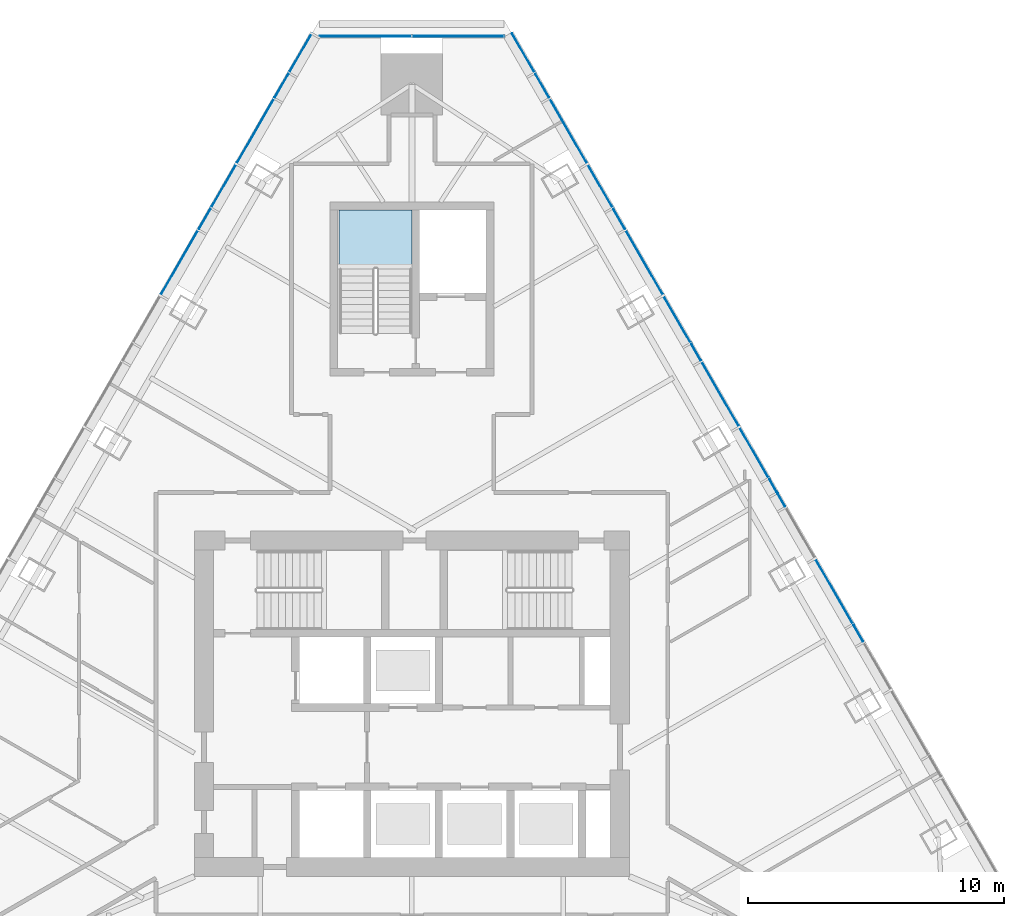
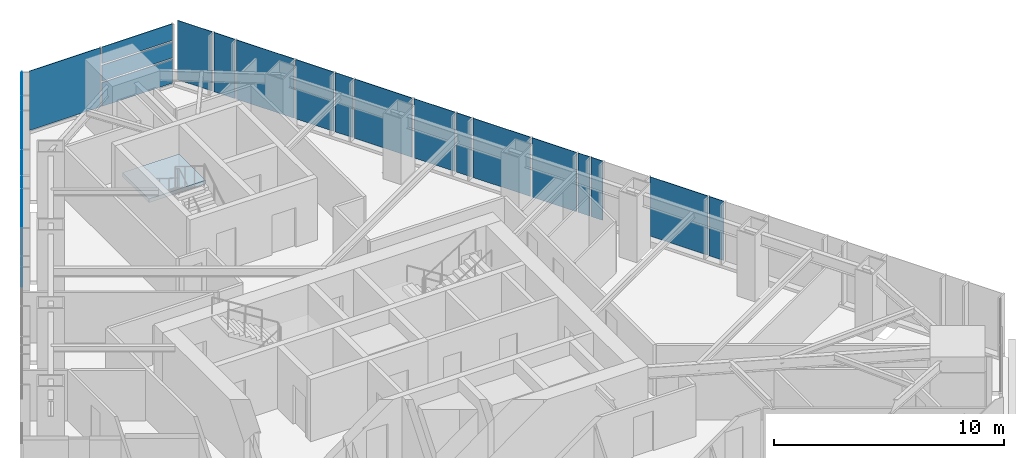
# One storey, part 9 of 15: 24 plates, 1 slab, 4 elements without a shape of their own.
"""IFC4 building model written with IfcOpenShell, lengths in metres."""

from ifc_helpers import new_model, si_unit, direction, frame, origin, place, context, subcontext, project, spatial, polyline, outline, extrude, material, layer, layer_set, type_object, element, aggregate, save


model = new_model("IFC4")

# Units and contexts
model_context = context("Model", 3, precision=1e-05, world=origin(), true_north=direction((0.0, 1.0)))
body_context = subcontext(model_context, "Body", "Model", "MODEL_VIEW")
ifc_project = project(units=[si_unit("LENGTHUNIT", "METRE"), si_unit("AREAUNIT", "SQUARE_METRE"), si_unit("VOLUMEUNIT", "CUBIC_METRE"), si_unit("PLANEANGLEUNIT", "RADIAN"), si_unit("MASSUNIT", "GRAM", prefix="KILO")], contexts=[model_context])

# Site, building, storey
site_placement = place(None, origin())
site = spatial("IfcSite", under=ifc_project, at=site_placement, CompositionType="ELEMENT")
building_placement = place(site_placement, origin())
building = spatial("IfcBuilding", under=site, at=building_placement, Name="Firuza Gate Tower and Library", CompositionType="ELEMENT")
storey_placement = place(building_placement, frame((0.0, 0.0, 309.10009765625)))
storey = spatial("IfcBuildingStorey", under=building, at=storey_placement, Name="L75", CompositionType="ELEMENT", Elevation=309.10009765625)

# Curtain wall, plates
ifc_material_1 = material(Name="Aluminium 6063-T6", Category="aluminium")
ifc_layer_1 = layer(ifc_material_1, 0.14990234375)
ifc_layer_set_1 = layer_set([ifc_layer_1], Name="Corner curtain wall, chamfers")
curtain_wall_type_1 = type_object("IfcCurtainWallType", Name="Corner curtain wall, chamfers", PredefinedType="NOTDEFINED", material=ifc_layer_set_1)
placement = place(storey_placement, origin())
curtain_wall_1 = element("IfcCurtainWall", 1, at=placement, inside=storey, type_object=curtain_wall_type_1, Name="CW4 L75 N corner", PredefinedType="NOTDEFINED")
ifc_material_2 = material(Name="Fritted glass", Category="glass")
ifc_layer_2 = layer(ifc_material_2, 0.030029296875)
ifc_layer_set_2 = layer_set([ifc_layer_2], Name="Fritted glass unit, corners")
plate_type_1 = type_object("IfcPlateType", Name="Fritted glass unit, corners", PredefinedType="CURTAIN_PANEL", material=ifc_layer_set_2)
plate_1_placement = place(storey_placement, frame((78.603271484375, 101.09375, 0.14990234375), z_axis=(0.0, 1.0, 0.0), x_axis=(-1.0, 0.0, 0.0)))
plate_1 = element("IfcPlate", 2, at=plate_1_placement, type_object=plate_type_1, Name="Glass unit", PredefinedType="CURTAIN_PANEL", context=body_context, shape_type="SweptSolid", body=[
    extrude(outline(polyline([(0.0, 0.0), (3.563232421875, 0.0), (3.563232421875, 1.260009765625), (0.0, 1.260009765625), (0.0, 0.0)])), origin(), (0.0, 0.0, -1.0), 0.030029296875),
])
plate_2_placement = place(storey_placement, frame((78.603271484375, 101.09375, 1.489990234375), z_axis=(0.0, 1.0, 0.0), x_axis=(-1.0, 0.0, 0.0)))
plate_2 = element("IfcPlate", 3, at=plate_2_placement, type_object=plate_type_1, Name="Glass unit", PredefinedType="CURTAIN_PANEL", context=body_context, shape_type="SweptSolid", body=[
    extrude(outline(polyline([(0.0, 0.0), (3.563232421875, 0.0), (3.563232421875, 0.844970703125), (0.0, 0.844970703125), (0.0, 0.0)])), origin(), (0.0, 0.0, -1.0), 0.030029296875),
])

ifc_material_3 = material(Name="Aluminium 6063-T6", Category="aluminium")
ifc_layer_3 = layer(ifc_material_3, 0.14990234375)
ifc_layer_set_3 = layer_set([ifc_layer_3], Name="Unitised curtain wall, residences")
curtain_wall_type_2 = type_object("IfcCurtainWallType", Name="Unitised curtain wall, residences", PredefinedType="NOTDEFINED", material=ifc_layer_set_3)
curtain_wall_2 = element("IfcCurtainWall", 4, at=placement, inside=storey, type_object=curtain_wall_type_2, Name="CW3 L75 E face", PredefinedType="NOTDEFINED")
ifc_material_4 = material(Name="Fritted glass", Category="glass")
ifc_layer_4 = layer(ifc_material_4, 0.030029296875)
ifc_layer_set_4 = layer_set([ifc_layer_4], Name="Fritted glass unit, residences")
plate_type_2 = type_object("IfcPlateType", Name="Fritted glass unit, residences", PredefinedType="CURTAIN_PANEL", material=ifc_layer_set_4)
plate_3_placement = place(storey_placement, frame((92.643798828125, 77.439208984375, 0.14990234375), z_axis=(0.866135954168, 0.499808472214, 0.0), x_axis=(-0.499808472214, 0.866135954168, 0.0)))
plate_3 = element("IfcPlate", 5, at=plate_3_placement, type_object=plate_type_2, Name="Glass unit", PredefinedType="CURTAIN_PANEL", context=body_context, shape_type="SweptSolid", body=[
    extrude(outline(polyline([(0.0, 0.0), (0.7370987560354357, 0.0), (0.7370987560354357, 3.14990234375), (0.0, 3.14990234375), (0.0, 0.0)])), origin(), (0.0, 0.0, -1.0), 0.030029296875),
])
plate_4_placement = place(storey_placement, frame((89.595703125, 82.718505859375, 0.14990234375), z_axis=(0.866086324858, 0.499894466757, 0.0), x_axis=(-0.499894466757, 0.866086324858, 0.0)))
plate_4 = element("IfcPlate", 6, at=plate_4_placement, type_object=plate_type_2, Name="Glass unit", PredefinedType="CURTAIN_PANEL", context=body_context, shape_type="SweptSolid", body=[
    extrude(outline(polyline([(0.0, 0.0), (0.5733632052572107, 0.0), (0.5733632052572107, 3.14990234375), (0.0, 3.14990234375), (0.0, 0.0)])), origin(), (0.0, 0.0, -1.0), 0.030029296875),
])
plate_5_placement = place(storey_placement, frame((89.26904296875, 83.284423828125, 0.14990234375), z_axis=(0.866086324858, 0.499894466757, 0.0), x_axis=(-0.499894466757, 0.866086324858, 0.0)))
plate_5 = element("IfcPlate", 7, at=plate_5_placement, type_object=plate_type_2, Name="Glass unit", PredefinedType="CURTAIN_PANEL", context=body_context, shape_type="SweptSolid", body=[
    extrude(outline(polyline([(0.0, 0.0), (0.5733632052572107, 0.0), (0.5733632052572107, 3.14990234375), (0.0, 3.14990234375), (0.0, 0.0)])), origin(), (0.0, 0.0, -1.0), 0.030029296875),
])
plate_6_placement = place(storey_placement, frame((86.302978515625, 88.422119140625, 0.14990234375), z_axis=(0.865909711816, 0.50020033085, 0.0), x_axis=(-0.50020033085, 0.865909711816, 0.0)))
plate_6 = element("IfcPlate", 8, at=plate_6_placement, type_object=plate_type_2, Name="Glass unit", PredefinedType="CURTAIN_PANEL", context=body_context, shape_type="SweptSolid", body=[
    extrude(outline(polyline([(0.0, 0.0), (0.7370093960622438, 0.0), (0.7370093960622438, 3.149902343750001), (0.0, 3.149902343750001), (0.0, 0.0)])), origin(), (0.0, 0.0, -1.0), 0.030029296875),
])
plate_7_placement = place(storey_placement, frame((83.336669921875, 93.5595703125, 0.14990234375), z_axis=(0.866099826648, 0.499871073658, 0.0), x_axis=(-0.499871073658, 0.866099826648, 0.0)))
plate_7 = element("IfcPlate", 9, at=plate_7_placement, type_object=plate_type_2, Name="Glass unit", PredefinedType="CURTAIN_PANEL", context=body_context, shape_type="SweptSolid", body=[
    extrude(outline(polyline([(0.0, 0.0), (0.900622853019109, 0.0), (0.900622853019109, 3.14990234375), (0.0, 3.14990234375), (0.0, 0.0)])), origin(), (0.0, 0.0, -1.0), 0.030029296875),
])
plate_8_placement = place(storey_placement, frame((80.37060546875, 98.697265625, 0.14990234375), z_axis=(0.8659754619, 0.500086491905, 0.0), x_axis=(-0.500086491905, 0.8659754619, 0.0)))
plate_8 = element("IfcPlate", 10, at=plate_8_placement, type_object=plate_type_2, Name="Glass unit", PredefinedType="CURTAIN_PANEL", context=body_context, shape_type="SweptSolid", body=[
    extrude(outline(polyline([(0.0, 0.0), (1.0642690236884975, 0.0), (1.0642690236884975, 3.14990234375), (0.0, 3.14990234375), (0.0, 0.0)])), origin(), (0.0, 0.0, -1.0), 0.030029296875),
])

curtain_wall_3 = element("IfcCurtainWall", 11, at=placement, inside=storey, type_object=curtain_wall_type_2, Name="CW3 L75 W face", PredefinedType="NOTDEFINED")
plate_9_placement = place(storey_placement, frame((70.16162109375, 99.618896484375, 0.14990234375), z_axis=(-0.8659754619, 0.500086491905, 0.0), x_axis=(-0.500086491905, -0.8659754619, 0.0)))
plate_9 = element("IfcPlate", 12, at=plate_9_placement, type_object=plate_type_2, Name="Glass unit", PredefinedType="CURTAIN_PANEL", context=body_context, shape_type="SweptSolid", body=[
    extrude(outline(polyline([(0.0, 0.0), (1.0642690236884975, 0.0), (1.0642690236884975, 3.14990234375), (0.0, 3.14990234375), (0.0, 0.0)])), origin(), (0.0, 0.0, -1.0), 0.030029296875),
])
plate_10_placement = place(storey_placement, frame((67.113525390625, 94.339599609375, 0.14990234375), z_axis=(-0.866099826648, 0.499871073658, 0.0), x_axis=(-0.499871073658, -0.866099826648, 0.0)))
plate_10 = element("IfcPlate", 13, at=plate_10_placement, type_object=plate_type_2, Name="Glass unit", PredefinedType="CURTAIN_PANEL", context=body_context, shape_type="SweptSolid", body=[
    extrude(outline(polyline([(0.0, 0.0), (0.900622853019109, 0.0), (0.900622853019109, 3.14990234375), (0.0, 3.14990234375), (0.0, 0.0)])), origin(), (0.0, 0.0, -1.0), 0.030029296875),
])

# Plate
ifc_material_5 = material(Name="Glazed ceramic tile")
ifc_layer_5 = layer(ifc_material_5, 0.030029296875)
ifc_layer_set_5 = layer_set([ifc_layer_5], Name="Opaque ceramic panel, corners")
plate_type_3 = type_object("IfcPlateType", Name="Opaque ceramic panel, corners", PredefinedType="CURTAIN_PANEL", material=ifc_layer_set_5)
plate_11_placement = place(storey_placement, frame((78.603271484375, 101.09375, 2.414794921875), z_axis=(0.0, 1.0, 0.0), x_axis=(-1.0, 0.0, 0.0)))
plate_11 = element("IfcPlate", 14, at=plate_11_placement, type_object=plate_type_3, Name="Opaque ceramic panel", PredefinedType="CURTAIN_PANEL", context=body_context, shape_type="SweptSolid", body=[
    extrude(outline(polyline([(0.0, 0.0), (3.563232421875, 0.0), (3.563232421875, 0.885009765625), (0.0, 0.885009765625), (0.0, 0.0)])), origin(), (0.0, 0.0, -1.0), 0.030029296875),
])

plate_12_placement = place(storey_placement, frame((74.9599609375, 101.09375, 0.14990234375), z_axis=(0.0, 1.0, 0.0), x_axis=(-1.0, 0.0, 0.0)))
plate_12 = element("IfcPlate", 15, at=plate_12_placement, type_object=plate_type_3, Name="Opaque ceramic panel", PredefinedType="CURTAIN_PANEL", context=body_context, shape_type="SweptSolid", body=[
    extrude(outline(polyline([(0.0, 0.0), (3.563232421875, 0.0), (3.563232421875, 3.14990234375), (0.0, 3.14990234375), (0.0, 0.0)])), origin(), (0.0, 0.0, -1.0), 0.030029296875),
])

aggregate(curtain_wall_1, [plate_1, plate_2, plate_11, plate_12])

ifc_material_6 = material(Name="Glazed ceramic tile")
ifc_layer_6 = layer(ifc_material_6, 0.030029296875)
ifc_layer_set_6 = layer_set([ifc_layer_6], Name="Opaque ceramic panel, residences")
plate_type_4 = type_object("IfcPlateType", Name="Opaque ceramic panel, residences", PredefinedType="CURTAIN_PANEL", material=ifc_layer_set_6)
plate_13_placement = place(storey_placement, frame((92.2353515625, 78.14697265625, 0.14990234375), z_axis=(0.866022182542, 0.500005579313, 0.0), x_axis=(-0.500005579313, 0.866022182542, 0.0)))
plate_13 = element("IfcPlate", 16, at=plate_13_placement, type_object=plate_type_4, Name="Opaque ceramic panel", PredefinedType="CURTAIN_PANEL", context=body_context, shape_type="SweptSolid", body=[
    extrude(outline(polyline([(0.0, 0.0), (2.886198262741801, 0.0), (2.886198262741801, 3.14990234375), (0.0, 3.14990234375), (0.0, 0.0)])), origin(), (0.0, 0.0, -1.0), 0.030029296875),
])

plate_14_placement = place(storey_placement, frame((88.9423828125, 83.850341796875, 0.14990234375), z_axis=(0.866007133326, 0.500031644028, 0.0), x_axis=(-0.500031644028, 0.866007133326, 0.0)))
plate_14 = element("IfcPlate", 17, at=plate_14_placement, type_object=plate_type_4, Name="Opaque ceramic panel", PredefinedType="CURTAIN_PANEL", context=body_context, shape_type="SweptSolid", body=[
    extrude(outline(polyline([(0.0, 0.0), (2.232768848651862, 0.0), (2.232768848651862, 3.14990234375), (0.0, 3.14990234375), (0.0, 0.0)])), origin(), (0.0, 0.0, -1.0), 0.030029296875),
])

plate_15_placement = place(storey_placement, frame((87.785888671875, 85.853271484375, 0.14990234375), z_axis=(0.866058810152, 0.49994213401, 0.0), x_axis=(-0.49994213401, 0.866058810152, 0.0)))
plate_15 = element("IfcPlate", 18, at=plate_15_placement, type_object=plate_type_4, Name="Opaque ceramic panel", PredefinedType="CURTAIN_PANEL", context=body_context, shape_type="SweptSolid", body=[
    extrude(outline(polyline([(0.0, 0.0), (2.8860761988117885, 0.0), (2.8860761988117885, 3.14990234375), (0.0, 3.14990234375), (0.0, 0.0)])), origin(), (0.0, 0.0, -1.0), 0.030029296875),
])

plate_16_placement = place(storey_placement, frame((85.894287109375, 89.129638671875, 0.14990234375), z_axis=(0.866063770229, 0.49993354148, 0.0), x_axis=(-0.49993354148, 0.866063770229, 0.0)))
plate_16 = element("IfcPlate", 19, at=plate_16_placement, type_object=plate_type_4, Name="Opaque ceramic panel", PredefinedType="CURTAIN_PANEL", context=body_context, shape_type="SweptSolid", body=[
    extrude(outline(polyline([(0.0, 0.0), (2.069122677912988, 0.0), (2.069122677912988, 3.14990234375), (0.0, 3.14990234375), (0.0, 0.0)])), origin(), (0.0, 0.0, -1.0), 0.030029296875),
])

plate_17_placement = place(storey_placement, frame((84.81982421875, 90.99072265625, 0.14990234375), z_axis=(0.866022182542, 0.500005579313, 0.0), x_axis=(-0.500005579313, 0.866022182542, 0.0)))
plate_17 = element("IfcPlate", 20, at=plate_17_placement, type_object=plate_type_4, Name="Opaque ceramic panel", PredefinedType="CURTAIN_PANEL", context=body_context, shape_type="SweptSolid", body=[
    extrude(outline(polyline([(0.0, 0.0), (2.886198262741801, 0.0), (2.886198262741801, 3.14990234375), (0.0, 3.14990234375), (0.0, 0.0)])), origin(), (0.0, 0.0, -1.0), 0.030029296875),
])

plate_18_placement = place(storey_placement, frame((82.846435546875, 94.408935546875, 0.14990234375), z_axis=(0.865987146695, 0.500066257368, 0.0), x_axis=(-0.500066257368, 0.865987146695, 0.0)))
plate_18 = element("IfcPlate", 21, at=plate_18_placement, type_object=plate_type_4, Name="Opaque ceramic panel", PredefinedType="CURTAIN_PANEL", context=body_context, shape_type="SweptSolid", body=[
    extrude(outline(polyline([(0.0, 0.0), (1.9055092106989173, 0.0), (1.9055092106989173, 3.14990234375), (0.0, 3.14990234375), (0.0, 0.0)])), origin(), (0.0, 0.0, -1.0), 0.030029296875),
])

plate_19_placement = place(storey_placement, frame((81.853515625, 96.12841796875, 0.14990234375), z_axis=(0.866058810152, 0.49994213401, 0.0), x_axis=(-0.49994213401, 0.866058810152, 0.0)))
plate_19 = element("IfcPlate", 22, at=plate_19_placement, type_object=plate_type_4, Name="Opaque ceramic panel", PredefinedType="CURTAIN_PANEL", context=body_context, shape_type="SweptSolid", body=[
    extrude(outline(polyline([(0.0, 0.0), (2.8860761988117885, 0.0), (2.8860761988117885, 3.14990234375), (0.0, 3.14990234375), (0.0, 0.0)])), origin(), (0.0, 0.0, -1.0), 0.030029296875),
])

plate_20_placement = place(storey_placement, frame((79.79833984375, 99.688232421875, 0.14990234375), z_axis=(0.86605255055, 0.499952977474, 0.0), x_axis=(-0.499952977474, 0.86605255055, 0.0)))
plate_20 = element("IfcPlate", 23, at=plate_20_placement, type_object=plate_type_4, Name="Opaque ceramic panel", PredefinedType="CURTAIN_PANEL", context=body_context, shape_type="SweptSolid", body=[
    extrude(outline(polyline([(0.0, 0.0), (1.741863032348824, 0.0), (1.741863032348824, 3.14990234375), (0.0, 3.14990234375), (0.0, 0.0)])), origin(), (0.0, 0.0, -1.0), 0.030029296875),
])

aggregate(curtain_wall_2, [plate_3, plate_13, plate_4, plate_5, plate_14, plate_15, plate_6, plate_16, plate_17, plate_7, plate_18, plate_19, plate_8, plate_20])

plate_21_placement = place(storey_placement, frame((71.072509765625, 101.19677734375, 0.14990234375), z_axis=(-0.86605255055, 0.499952977474, 0.0), x_axis=(-0.499952977474, -0.86605255055, 0.0)))
plate_21 = element("IfcPlate", 24, at=plate_21_placement, type_object=plate_type_4, Name="Opaque ceramic panel", PredefinedType="CURTAIN_PANEL", context=body_context, shape_type="SweptSolid", body=[
    extrude(outline(polyline([(0.0, 0.0), (1.741863032348824, 0.0), (1.741863032348824, 3.14990234375), (0.0, 3.14990234375), (0.0, 0.0)])), origin(), (0.0, 0.0, -1.0), 0.030029296875),
])

plate_22_placement = place(storey_placement, frame((69.58935546875, 98.6279296875, 0.14990234375), z_axis=(-0.866058810152, 0.49994213401, 0.0), x_axis=(-0.49994213401, -0.866058810152, 0.0)))
plate_22 = element("IfcPlate", 25, at=plate_22_placement, type_object=plate_type_4, Name="Opaque ceramic panel", PredefinedType="CURTAIN_PANEL", context=body_context, shape_type="SweptSolid", body=[
    extrude(outline(polyline([(0.0, 0.0), (2.8860761988117885, 0.0), (2.8860761988117885, 3.14990234375), (0.0, 3.14990234375), (0.0, 0.0)])), origin(), (0.0, 0.0, -1.0), 0.030029296875),
])

plate_23_placement = place(storey_placement, frame((68.1064453125, 96.05908203125, 0.14990234375), z_axis=(-0.865987146695, 0.500066257368, 0.0), x_axis=(-0.500066257368, -0.865987146695, 0.0)))
plate_23 = element("IfcPlate", 26, at=plate_23_placement, type_object=plate_type_4, Name="Opaque ceramic panel", PredefinedType="CURTAIN_PANEL", context=body_context, shape_type="SweptSolid", body=[
    extrude(outline(polyline([(0.0, 0.0), (1.9055092106989173, 0.0), (1.9055092106989173, 3.14990234375), (0.0, 3.14990234375), (0.0, 0.0)])), origin(), (0.0, 0.0, -1.0), 0.030029296875),
])

plate_24_placement = place(storey_placement, frame((66.623291015625, 93.490234375, 0.14990234375), z_axis=(-0.866022182542, 0.500005579313, 0.0), x_axis=(-0.500005579313, -0.866022182542, 0.0)))
plate_24 = element("IfcPlate", 27, at=plate_24_placement, type_object=plate_type_4, Name="Opaque ceramic panel", PredefinedType="CURTAIN_PANEL", context=body_context, shape_type="SweptSolid", body=[
    extrude(outline(polyline([(0.0, 0.0), (2.886198262741801, 0.0), (2.886198262741801, 3.14990234375), (0.0, 3.14990234375), (0.0, 0.0)])), origin(), (0.0, 0.0, -1.0), 0.030029296875),
])

aggregate(curtain_wall_3, [plate_21, plate_9, plate_22, plate_23, plate_10, plate_24])

# Stair, slab
ifc_material_7 = material(Name="Concrete C35/45", Category="concrete")
stair_type = type_object("IfcStairType", Name="Exit stair ST17", PredefinedType="HALF_TURN_STAIR", material=ifc_material_7)
stair = element("IfcStair", 28, at=placement, inside=storey, type_object=stair_type, Name="L75 Stair ST3", PredefinedType="HALF_TURN_STAIR")
ifc_material_8 = material(Name="Concrete C35/45", Category="concrete")
ifc_layer_7 = layer(ifc_material_8, 0.199951171875)
ifc_layer_set_7 = layer_set([ifc_layer_7], Name="Stair landing 200")
slab_type = type_object("IfcSlabType", Name="Stair landing 200", PredefinedType="LANDING", material=ifc_layer_set_7)
slab_placement = place(storey_placement, frame((0.0, 0.0, 1.5498046875)))
slab = element("IfcSlab", 29, at=slab_placement, type_object=slab_type, Name="ST3 landing 1", PredefinedType="LANDING", context=body_context, shape_type="SweptSolid", body=[
    extrude(outline(polyline([(75.0, 91.989990234375), (75.0, 94.300048828125), (72.159912109375, 94.300048828125), (72.159912109375, 91.989990234375), (75.0, 91.989990234375)])), origin(), (0.0, 0.0, 1.0), 0.2001953125),
])
aggregate(stair, [slab])

save(model, "model.ifc")
